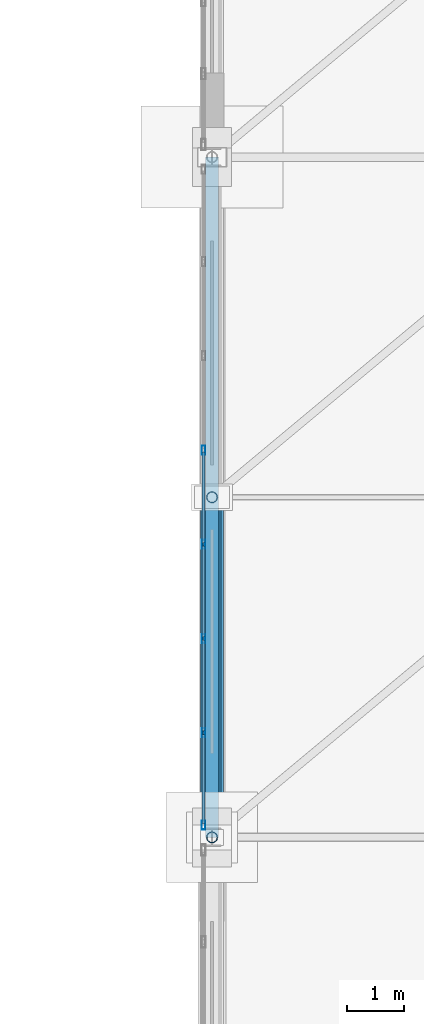
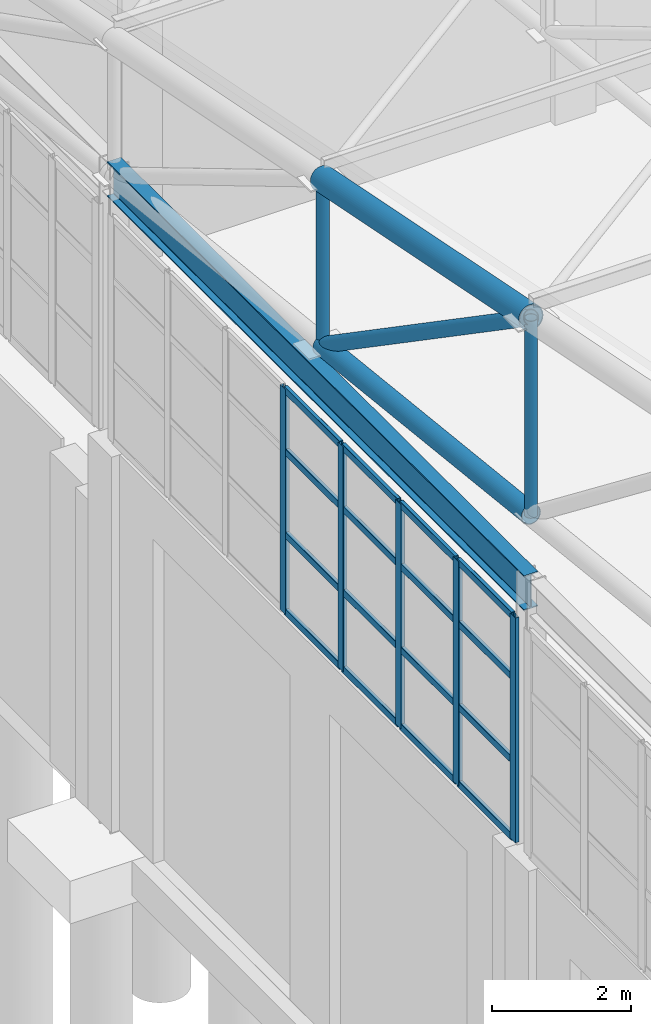
# One storey, part 122 of 293: 26 members, 1 beam, 1 element without a shape of its own.
"""IFC4 building model written with IfcOpenShell, lengths in metres."""

from ifc_helpers import new_model, si_unit, direction, frame, origin, origin_2d, place, context, subcontext, project, spatial, hollow_rectangle, hollow_circle, i_section, extrude, material, layer, layer_set, material_profile, profile_set, type_object, element, aggregate, save


model = new_model("IFC4")

# Units and contexts
model_context = context("Model", 3, precision=1e-05, world=origin(), true_north=direction((0.0, 1.0)))
body_context = subcontext(model_context, "Body", "Model", "MODEL_VIEW")
ifc_project = project(units=[si_unit("LENGTHUNIT", "METRE"), si_unit("AREAUNIT", "SQUARE_METRE"), si_unit("VOLUMEUNIT", "CUBIC_METRE"), si_unit("PLANEANGLEUNIT", "RADIAN"), si_unit("MASSUNIT", "GRAM", prefix="KILO")], contexts=[model_context])

# Site, building, storey
site_placement = place(None, origin())
site = spatial("IfcSite", under=ifc_project, at=site_placement, CompositionType="ELEMENT")
building_placement = place(site_placement, origin())
building = spatial("IfcBuilding", under=site, at=building_placement, Name="Kemerveld Promenade Tramway Depot", CompositionType="ELEMENT")
storey_placement = place(building_placement, origin())
storey = spatial("IfcBuildingStorey", under=building, at=storey_placement, Name="L00", CompositionType="ELEMENT", Elevation=0.0)

# Beam
ifc_material_1 = material(Name="Steel S355", Category="steel")
ifc_material_profile_1 = material_profile(ifc_material_1, i_section(OverallWidth=0.22900390625, OverallDepth=0.6123046875, WebThickness=0.011962890625, FlangeThickness=0.01953125, FilletRadius=0.0126953125, at=origin_2d()), Name="610x229x125 UB")
ifc_profile_set_1 = profile_set([ifc_material_profile_1], Name="Steel S355")
beam_type = type_object("IfcBeamType", Name="BM-G04", PredefinedType="BEAM", material=ifc_profile_set_1)
beam_placement = place(storey_placement, frame((36.0, 120.0, 11.093994140625), z_axis=(0.0, 1.0, 0.0), x_axis=(-1.0, 0.0, 0.0)))
element("IfcBeam", 1, at=beam_placement, inside=storey, type_object=beam_type, Name="BM-GABLE-06-R", PredefinedType="BEAM", context=body_context, shape_type="SweptSolid", body=[
    extrude(i_section(OverallWidth=0.22900390625, OverallDepth=0.6123046875, WebThickness=0.011962890625, FlangeThickness=0.01953125, FilletRadius=0.0126953125, at=origin_2d()), origin(), (0.0, 0.0, 1.0), 12.0),
])

# Curtain wall, members
ifc_material_2 = material(Name="Bronze anodised aluminium and solar glass", Category="aluminium")
ifc_layer = layer(ifc_material_2, 0.159912109375)
ifc_layer_set = layer_set([ifc_layer], Name="CW-SYS-11")
curtain_wall_type = type_object("IfcCurtainWallType", Name="CW-SYS-11", PredefinedType="USERDEFINED", material=ifc_layer_set)
curtain_wall_placement = place(storey_placement, origin())
curtain_wall = element("IfcCurtainWall", 2, at=curtain_wall_placement, inside=storey, type_object=curtain_wall_type, Name="CW-V1-W-04", ObjectType="GLAZED_CURTAIN_WALL", PredefinedType="USERDEFINED")
ifc_material_3 = material(Name="Bronze anodised aluminium", Category="aluminium")
ifc_material_profile_2 = material_profile(ifc_material_3, hollow_rectangle(XDim=0.06494140625, YDim=0.159912109375, WallThickness=0.00390625, InnerFilletRadius=0.001953125, OuterFilletRadius=0.00390625, at=origin_2d()), Name="CW-MUL-160x65")
ifc_profile_set_2 = profile_set([ifc_material_profile_2], Name="Bronze anodised aluminium")
member_type_1 = type_object("IfcMemberType", Name="CW-MUL-A", PredefinedType="MULLION", material=ifc_profile_set_2)
member_1_placement = place(storey_placement, frame((35.85009765625, 120.216064453125, 6.64990234375), z_axis=(0.0, 0.0, 1.0), x_axis=(-1.0, 0.0, 0.0)))
member_1 = element("IfcMember", 3, at=member_1_placement, type_object=member_type_1, Name="CW11 mullion 1", PredefinedType="MULLION", context=body_context, shape_type="SweptSolid", body=[
    extrude(hollow_rectangle(XDim=0.06494140625, YDim=0.159912109375, WallThickness=0.00390625, InnerFilletRadius=0.001953125, OuterFilletRadius=0.00390625, at=origin_2d()), origin(), (0.0, 0.0, 1.0), 3.9501953125),
])
member_2_placement = place(storey_placement, frame((35.85009765625, 121.845458984375, 6.64990234375), z_axis=(0.0, 0.0, 1.0), x_axis=(-1.0, 0.0, 0.0)))
member_2 = element("IfcMember", 4, at=member_2_placement, type_object=member_type_1, Name="CW11 mullion 2", PredefinedType="MULLION", context=body_context, shape_type="SweptSolid", body=[
    extrude(hollow_rectangle(XDim=0.06494140625, YDim=0.159912109375, WallThickness=0.00390625, InnerFilletRadius=0.001953125, OuterFilletRadius=0.00390625, at=origin_2d()), origin(), (0.0, 0.0, 1.0), 3.9501953125),
])
member_3_placement = place(storey_placement, frame((35.85009765625, 123.50732421875, 6.64990234375), z_axis=(0.0, 0.0, 1.0), x_axis=(-1.0, 0.0, 0.0)))
member_3 = element("IfcMember", 5, at=member_3_placement, type_object=member_type_1, Name="CW11 mullion 3", PredefinedType="MULLION", context=body_context, shape_type="SweptSolid", body=[
    extrude(hollow_rectangle(XDim=0.06494140625, YDim=0.159912109375, WallThickness=0.00390625, InnerFilletRadius=0.001953125, OuterFilletRadius=0.00390625, at=origin_2d()), origin(), (0.0, 0.0, 1.0), 3.9501953125),
])
member_4_placement = place(storey_placement, frame((35.85009765625, 125.169189453125, 6.64990234375), z_axis=(0.0, 0.0, 1.0), x_axis=(-1.0, 0.0, 0.0)))
member_4 = element("IfcMember", 6, at=member_4_placement, type_object=member_type_1, Name="CW11 mullion 4", PredefinedType="MULLION", context=body_context, shape_type="SweptSolid", body=[
    extrude(hollow_rectangle(XDim=0.06494140625, YDim=0.159912109375, WallThickness=0.00390625, InnerFilletRadius=0.001953125, OuterFilletRadius=0.00390625, at=origin_2d()), origin(), (0.0, 0.0, 1.0), 3.9501953125),
])
member_5_placement = place(storey_placement, frame((35.85009765625, 126.830810546875, 6.64990234375), z_axis=(0.0, 0.0, 1.0), x_axis=(-1.0, 0.0, 0.0)))
member_5 = element("IfcMember", 7, at=member_5_placement, type_object=member_type_1, Name="CW11 mullion 5", PredefinedType="MULLION", context=body_context, shape_type="SweptSolid", body=[
    extrude(hollow_rectangle(XDim=0.06494140625, YDim=0.159912109375, WallThickness=0.00390625, InnerFilletRadius=0.001953125, OuterFilletRadius=0.00390625, at=origin_2d()), origin(), (0.0, 0.0, 1.0), 3.9501953125),
])
ifc_material_profile_3 = material_profile(ifc_material_3, hollow_rectangle(XDim=0.06005859375, YDim=0.1201171875, WallThickness=0.00390625, InnerFilletRadius=0.001953125, OuterFilletRadius=0.00390625, at=origin_2d()), Name="CW-TRN-120x60")
ifc_profile_set_3 = profile_set([ifc_material_profile_3], Name="Bronze anodised aluminium")
member_type_2 = type_object("IfcMemberType", Name="CW-TRN-A", PredefinedType="USERDEFINED", material=ifc_profile_set_3)
member_6_placement = place(storey_placement, frame((35.85009765625, 120.24853515625, 6.679931640625), z_axis=(0.0, 1.0, 0.0), x_axis=(-1.0, 0.0, 0.0)))
member_6 = element("IfcMember", 8, at=member_6_placement, type_object=member_type_2, Name="CW11 transom 1.1", ObjectType="TRANSOM", PredefinedType="USERDEFINED", context=body_context, shape_type="SweptSolid", body=[
    extrude(hollow_rectangle(XDim=0.06005859375, YDim=0.1201171875, WallThickness=0.00390625, InnerFilletRadius=0.001953125, OuterFilletRadius=0.00390625, at=origin_2d()), origin(), (0.0, 0.0, 1.0), 1.564208984375),
])
member_7_placement = place(storey_placement, frame((35.85009765625, 120.24853515625, 8.032958984375), z_axis=(0.0, 1.0, 0.0), x_axis=(-1.0, 0.0, 0.0)))
member_7 = element("IfcMember", 9, at=member_7_placement, type_object=member_type_2, Name="CW11 transom 1.2", ObjectType="TRANSOM", PredefinedType="USERDEFINED", context=body_context, shape_type="SweptSolid", body=[
    extrude(hollow_rectangle(XDim=0.06005859375, YDim=0.1201171875, WallThickness=0.00390625, InnerFilletRadius=0.001953125, OuterFilletRadius=0.00390625, at=origin_2d()), origin(), (0.0, 0.0, 1.0), 1.564208984375),
])
member_8_placement = place(storey_placement, frame((35.85009765625, 120.24853515625, 9.493896484375), z_axis=(0.0, 1.0, 0.0), x_axis=(-1.0, 0.0, 0.0)))
member_8 = element("IfcMember", 10, at=member_8_placement, type_object=member_type_2, Name="CW11 transom 1.3", ObjectType="TRANSOM", PredefinedType="USERDEFINED", context=body_context, shape_type="SweptSolid", body=[
    extrude(hollow_rectangle(XDim=0.06005859375, YDim=0.1201171875, WallThickness=0.00390625, InnerFilletRadius=0.001953125, OuterFilletRadius=0.00390625, at=origin_2d()), origin(), (0.0, 0.0, 1.0), 1.564208984375),
])
member_9_placement = place(storey_placement, frame((35.85009765625, 120.24853515625, 10.570068359375), z_axis=(0.0, 1.0, 0.0), x_axis=(-1.0, 0.0, 0.0)))
member_9 = element("IfcMember", 11, at=member_9_placement, type_object=member_type_2, Name="CW11 transom 1.4", ObjectType="TRANSOM", PredefinedType="USERDEFINED", context=body_context, shape_type="SweptSolid", body=[
    extrude(hollow_rectangle(XDim=0.06005859375, YDim=0.1201171875, WallThickness=0.00390625, InnerFilletRadius=0.001953125, OuterFilletRadius=0.00390625, at=origin_2d()), origin(), (0.0, 0.0, 1.0), 1.564208984375),
])
member_10_placement = place(storey_placement, frame((35.85009765625, 121.8779296875, 6.679931640625), z_axis=(0.0, 1.0, 0.0), x_axis=(-1.0, 0.0, 0.0)))
member_10 = element("IfcMember", 12, at=member_10_placement, type_object=member_type_2, Name="CW11 transom 2.1", ObjectType="TRANSOM", PredefinedType="USERDEFINED", context=body_context, shape_type="SweptSolid", body=[
    extrude(hollow_rectangle(XDim=0.06005859375, YDim=0.1201171875, WallThickness=0.00390625, InnerFilletRadius=0.001953125, OuterFilletRadius=0.00390625, at=origin_2d()), origin(), (0.0, 0.0, 1.0), 1.5966796875),
])
member_11_placement = place(storey_placement, frame((35.85009765625, 121.8779296875, 8.032958984375), z_axis=(0.0, 1.0, 0.0), x_axis=(-1.0, 0.0, 0.0)))
member_11 = element("IfcMember", 13, at=member_11_placement, type_object=member_type_2, Name="CW11 transom 2.2", ObjectType="TRANSOM", PredefinedType="USERDEFINED", context=body_context, shape_type="SweptSolid", body=[
    extrude(hollow_rectangle(XDim=0.06005859375, YDim=0.1201171875, WallThickness=0.00390625, InnerFilletRadius=0.001953125, OuterFilletRadius=0.00390625, at=origin_2d()), origin(), (0.0, 0.0, 1.0), 1.5966796875),
])
member_12_placement = place(storey_placement, frame((35.85009765625, 121.8779296875, 9.493896484375), z_axis=(0.0, 1.0, 0.0), x_axis=(-1.0, 0.0, 0.0)))
member_12 = element("IfcMember", 14, at=member_12_placement, type_object=member_type_2, Name="CW11 transom 2.3", ObjectType="TRANSOM", PredefinedType="USERDEFINED", context=body_context, shape_type="SweptSolid", body=[
    extrude(hollow_rectangle(XDim=0.06005859375, YDim=0.1201171875, WallThickness=0.00390625, InnerFilletRadius=0.001953125, OuterFilletRadius=0.00390625, at=origin_2d()), origin(), (0.0, 0.0, 1.0), 1.5966796875),
])
member_13_placement = place(storey_placement, frame((35.85009765625, 121.8779296875, 10.570068359375), z_axis=(0.0, 1.0, 0.0), x_axis=(-1.0, 0.0, 0.0)))
member_13 = element("IfcMember", 15, at=member_13_placement, type_object=member_type_2, Name="CW11 transom 2.4", ObjectType="TRANSOM", PredefinedType="USERDEFINED", context=body_context, shape_type="SweptSolid", body=[
    extrude(hollow_rectangle(XDim=0.06005859375, YDim=0.1201171875, WallThickness=0.00390625, InnerFilletRadius=0.001953125, OuterFilletRadius=0.00390625, at=origin_2d()), origin(), (0.0, 0.0, 1.0), 1.5966796875),
])
member_14_placement = place(storey_placement, frame((35.85009765625, 123.539794921875, 6.679931640625), z_axis=(0.0, 1.0, 0.0), x_axis=(-1.0, 0.0, 0.0)))
member_14 = element("IfcMember", 16, at=member_14_placement, type_object=member_type_2, Name="CW11 transom 3.1", ObjectType="TRANSOM", PredefinedType="USERDEFINED", context=body_context, shape_type="SweptSolid", body=[
    extrude(hollow_rectangle(XDim=0.06005859375, YDim=0.1201171875, WallThickness=0.00390625, InnerFilletRadius=0.001953125, OuterFilletRadius=0.00390625, at=origin_2d()), origin(), (0.0, 0.0, 1.0), 1.5966796875),
])
member_15_placement = place(storey_placement, frame((35.85009765625, 123.539794921875, 8.032958984375), z_axis=(0.0, 1.0, 0.0), x_axis=(-1.0, 0.0, 0.0)))
member_15 = element("IfcMember", 17, at=member_15_placement, type_object=member_type_2, Name="CW11 transom 3.2", ObjectType="TRANSOM", PredefinedType="USERDEFINED", context=body_context, shape_type="SweptSolid", body=[
    extrude(hollow_rectangle(XDim=0.06005859375, YDim=0.1201171875, WallThickness=0.00390625, InnerFilletRadius=0.001953125, OuterFilletRadius=0.00390625, at=origin_2d()), origin(), (0.0, 0.0, 1.0), 1.5966796875),
])
member_16_placement = place(storey_placement, frame((35.85009765625, 123.539794921875, 9.493896484375), z_axis=(0.0, 1.0, 0.0), x_axis=(-1.0, 0.0, 0.0)))
member_16 = element("IfcMember", 18, at=member_16_placement, type_object=member_type_2, Name="CW11 transom 3.3", ObjectType="TRANSOM", PredefinedType="USERDEFINED", context=body_context, shape_type="SweptSolid", body=[
    extrude(hollow_rectangle(XDim=0.06005859375, YDim=0.1201171875, WallThickness=0.00390625, InnerFilletRadius=0.001953125, OuterFilletRadius=0.00390625, at=origin_2d()), origin(), (0.0, 0.0, 1.0), 1.5966796875),
])
member_17_placement = place(storey_placement, frame((35.85009765625, 123.539794921875, 10.570068359375), z_axis=(0.0, 1.0, 0.0), x_axis=(-1.0, 0.0, 0.0)))
member_17 = element("IfcMember", 19, at=member_17_placement, type_object=member_type_2, Name="CW11 transom 3.4", ObjectType="TRANSOM", PredefinedType="USERDEFINED", context=body_context, shape_type="SweptSolid", body=[
    extrude(hollow_rectangle(XDim=0.06005859375, YDim=0.1201171875, WallThickness=0.00390625, InnerFilletRadius=0.001953125, OuterFilletRadius=0.00390625, at=origin_2d()), origin(), (0.0, 0.0, 1.0), 1.5966796875),
])
member_18_placement = place(storey_placement, frame((35.85009765625, 125.20166015625, 6.679931640625), z_axis=(0.0, 1.0, 0.0), x_axis=(-1.0, 0.0, 0.0)))
member_18 = element("IfcMember", 20, at=member_18_placement, type_object=member_type_2, Name="CW11 transom 4.1", ObjectType="TRANSOM", PredefinedType="USERDEFINED", context=body_context, shape_type="SweptSolid", body=[
    extrude(hollow_rectangle(XDim=0.06005859375, YDim=0.1201171875, WallThickness=0.00390625, InnerFilletRadius=0.001953125, OuterFilletRadius=0.00390625, at=origin_2d()), origin(), (0.0, 0.0, 1.0), 1.5966796875),
])
member_19_placement = place(storey_placement, frame((35.85009765625, 125.20166015625, 8.032958984375), z_axis=(0.0, 1.0, 0.0), x_axis=(-1.0, 0.0, 0.0)))
member_19 = element("IfcMember", 21, at=member_19_placement, type_object=member_type_2, Name="CW11 transom 4.2", ObjectType="TRANSOM", PredefinedType="USERDEFINED", context=body_context, shape_type="SweptSolid", body=[
    extrude(hollow_rectangle(XDim=0.06005859375, YDim=0.1201171875, WallThickness=0.00390625, InnerFilletRadius=0.001953125, OuterFilletRadius=0.00390625, at=origin_2d()), origin(), (0.0, 0.0, 1.0), 1.5966796875),
])
member_20_placement = place(storey_placement, frame((35.85009765625, 125.20166015625, 9.493896484375), z_axis=(0.0, 1.0, 0.0), x_axis=(-1.0, 0.0, 0.0)))
member_20 = element("IfcMember", 22, at=member_20_placement, type_object=member_type_2, Name="CW11 transom 4.3", ObjectType="TRANSOM", PredefinedType="USERDEFINED", context=body_context, shape_type="SweptSolid", body=[
    extrude(hollow_rectangle(XDim=0.06005859375, YDim=0.1201171875, WallThickness=0.00390625, InnerFilletRadius=0.001953125, OuterFilletRadius=0.00390625, at=origin_2d()), origin(), (0.0, 0.0, 1.0), 1.5966796875),
])
member_21_placement = place(storey_placement, frame((35.85009765625, 125.20166015625, 10.570068359375), z_axis=(0.0, 1.0, 0.0), x_axis=(-1.0, 0.0, 0.0)))
member_21 = element("IfcMember", 23, at=member_21_placement, type_object=member_type_2, Name="CW11 transom 4.4", ObjectType="TRANSOM", PredefinedType="USERDEFINED", context=body_context, shape_type="SweptSolid", body=[
    extrude(hollow_rectangle(XDim=0.06005859375, YDim=0.1201171875, WallThickness=0.00390625, InnerFilletRadius=0.001953125, OuterFilletRadius=0.00390625, at=origin_2d()), origin(), (0.0, 0.0, 1.0), 1.5966796875),
])
aggregate(curtain_wall, [member_1, member_2, member_3, member_4, member_5, member_6, member_7, member_8, member_9, member_10, member_11, member_12, member_13, member_14, member_15, member_16, member_17, member_18, member_19, member_20, member_21])

# Members
ifc_material_profile_4 = material_profile(ifc_material_1, hollow_circle(Radius=0.122314453125, WallThickness=0.010009765625, at=origin_2d()), Name="244.5x10.0 CHS")
ifc_profile_set_4 = profile_set([ifc_material_profile_4], Name="Steel S355")
member_type_3 = type_object("IfcMemberType", Name="MB-TB1", PredefinedType="BRACE", material=ifc_profile_set_4)
member_22_placement = place(storey_placement, frame((36.0, 126.0, 11.780029296875), z_axis=(0.0, -0.824370638462, 0.566050395673), x_axis=(1.0, 0.0, 0.0)))
element("IfcMember", 24, at=member_22_placement, inside=storey, type_object=member_type_3, Name="TR-06-DG-07", PredefinedType="BRACE", context=body_context, shape_type="SweptSolid", body=[
    extrude(hollow_circle(Radius=0.122314453125, WallThickness=0.010009765625, at=origin_2d()), origin(), (0.0, 0.0, 1.0), 7.2783203125),
])
ifc_material_profile_5 = material_profile(ifc_material_1, hollow_circle(Radius=0.203125, WallThickness=0.01611328125, at=origin_2d()), Name="406.4x16.0 CHS")
ifc_profile_set_5 = profile_set([ifc_material_profile_5], Name="Steel S355")
member_type_4 = type_object("IfcMemberType", Name="MB-TC1", PredefinedType="CHORD", material=ifc_profile_set_5)
member_23_placement = place(storey_placement, frame((36.0, 120.0, 15.89990234375), z_axis=(0.0, 0.980582210276, -0.196108462057), x_axis=(-1.0, 0.0, 0.0)))
element("IfcMember", 25, at=member_23_placement, inside=storey, type_object=member_type_4, Name="TR-06-TC-07", PredefinedType="CHORD", context=body_context, shape_type="SweptSolid", body=[
    extrude(hollow_circle(Radius=0.203125, WallThickness=0.01611328125, at=origin_2d()), origin(), (0.0, 0.0, 1.0), 6.118896484375),
])
ifc_material_profile_6 = material_profile(ifc_material_1, hollow_circle(Radius=0.161865234375, WallThickness=0.012451171875, at=origin_2d()), Name="323.9x12.5 CHS")
ifc_profile_set_6 = profile_set([ifc_material_profile_6], Name="Steel S355")
member_type_5 = type_object("IfcMemberType", Name="MB-TC2", PredefinedType="CHORD", material=ifc_profile_set_6)
member_24_placement = place(storey_placement, frame((36.0, 120.0, 12.43994140625), z_axis=(0.0, 0.994005938353, -0.109326092585), x_axis=(-1.0, 0.0, 0.0)))
element("IfcMember", 26, at=member_24_placement, inside=storey, type_object=member_type_5, Name="TR-06-BC-07", PredefinedType="CHORD", context=body_context, shape_type="SweptSolid", body=[
    extrude(hollow_circle(Radius=0.161865234375, WallThickness=0.012451171875, at=origin_2d()), origin(), (0.0, 0.0, 1.0), 6.0361328125),
])
ifc_material_profile_7 = material_profile(ifc_material_1, hollow_circle(Radius=0.096923828125, WallThickness=0.008056640625, at=origin_2d()), Name="193.7x8.0 CHS")
ifc_profile_set_7 = profile_set([ifc_material_profile_7], Name="Steel S355")
member_type_6 = type_object("IfcMemberType", Name="MB-TP1", PredefinedType="POST", material=ifc_profile_set_7)
member_25_placement = place(storey_placement, frame((36.0, 120.0, 12.43994140625), z_axis=(0.0, 0.0, 1.0), x_axis=(1.0, 0.0, 0.0)))
element("IfcMember", 27, at=member_25_placement, inside=storey, type_object=member_type_6, Name="TR-06-VT-06", PredefinedType="POST", context=body_context, shape_type="SweptSolid", body=[
    extrude(hollow_circle(Radius=0.096923828125, WallThickness=0.008056640625, at=origin_2d()), origin(), (0.0, 0.0, 1.0), 3.4599609375),
])
member_26_placement = place(storey_placement, frame((36.0, 126.0, 11.780029296875), z_axis=(0.0, 0.0, 1.0), x_axis=(1.0, 0.0, 0.0)))
element("IfcMember", 28, at=member_26_placement, inside=storey, type_object=member_type_6, Name="TR-06-VT-07", PredefinedType="POST", context=body_context, shape_type="SweptSolid", body=[
    extrude(hollow_circle(Radius=0.096923828125, WallThickness=0.008056640625, at=origin_2d()), origin(), (0.0, 0.0, 1.0), 2.919921875),
])

save(model, "model.ifc")
